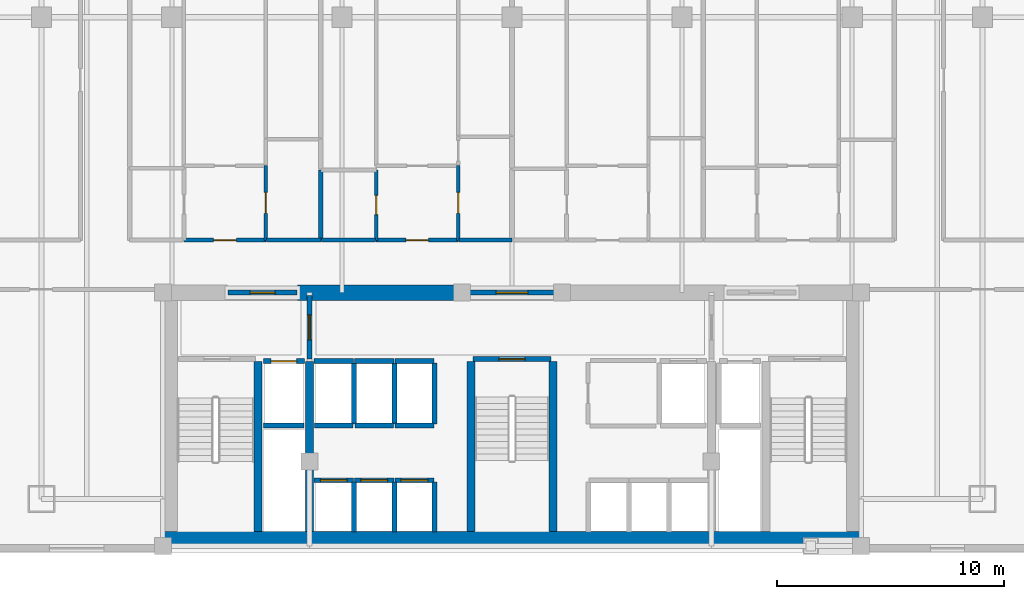
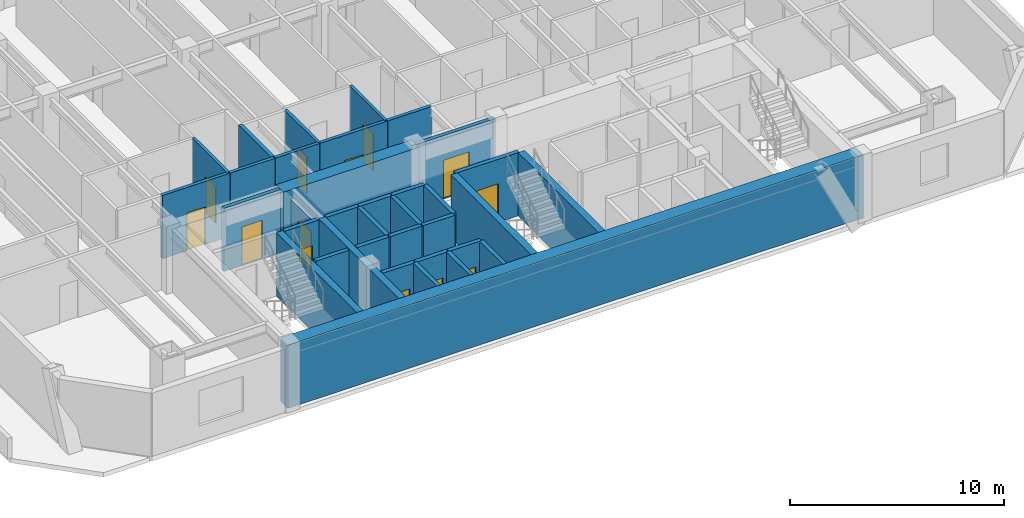
# One storey, part 3 of 10: 36 walls, 13 doors, 13 openings.
"""IFC4 building model written with IfcOpenShell, lengths in metres."""

from ifc_helpers import new_model, si_unit, direction, frame, frame_2d, origin, place, context, subcontext, project, spatial, rectangle, extrude, material, layer, layer_set, type_object, element, fill, save


model = new_model("IFC4")

# Units and contexts
model_context = context("Model", 3, precision=1e-05, world=origin(), true_north=direction((0.0, 1.0)))
body_context = subcontext(model_context, "Body", "Model", "MODEL_VIEW")
ifc_project = project(units=[si_unit("LENGTHUNIT", "METRE"), si_unit("AREAUNIT", "SQUARE_METRE"), si_unit("VOLUMEUNIT", "CUBIC_METRE"), si_unit("PLANEANGLEUNIT", "RADIAN"), si_unit("MASSUNIT", "GRAM", prefix="KILO")], contexts=[model_context])

# Site, building, storey
site_placement = place(None, origin())
site = spatial("IfcSite", under=ifc_project, at=site_placement, CompositionType="ELEMENT")
building_placement = place(site_placement, origin())
building = spatial("IfcBuilding", under=site, at=building_placement, Name="Ventersveld Concourse Tower", CompositionType="ELEMENT")
storey_placement = place(building_placement, frame((0.0, 0.0, 92.60009765625)))
storey = spatial("IfcBuildingStorey", under=building, at=storey_placement, Name="L22", CompositionType="ELEMENT", Elevation=92.60009765625)

# Walls
ifc_material_1 = material(Name="Concrete C60/75", Category="concrete")
ifc_layer_1 = layer(ifc_material_1, 0.35009765625)
ifc_layer_set_1 = layer_set([ifc_layer_1], Name="Concrete C60/75")
wall_type_1 = type_object("IfcWallType", Name="WL-CORE-350L", PredefinedType="SHEAR", material=ifc_layer_set_1)
for number, where, z_axis, x_axis, name in (
    (1, (17.5400390625, 0.919921875, 0.0), (0.0, 0.0, 1.0), (0.0, 1.0, 0.0), "L22 Core Internal Shear Web W-ST1-E"),
    (2, (19.820068359375, 0.919921875, 0.0), (0.0, 0.0, 1.0), (0.0, 1.0, 0.0), "L22 Core Internal Shear Web W-FF1-E"),
    (3, (26.93994140625, 0.919921875, 0.0), (0.0, 0.0, 1.0), (0.0, 1.0, 0.0), "L22 Core Internal Shear Web W-ST3-W"),
    (4, (30.56005859375, 0.919921875, 0.0), (0.0, 0.0, 1.0), (0.0, 1.0, 0.0), "L22 Core Internal Shear Web W-ST3-E"),
):
    element("IfcWall", number, at=place(storey_placement, frame(where, z_axis=z_axis, x_axis=x_axis)), inside=storey, type_object=wall_type_1, Name=name, PredefinedType="SHEAR", context=body_context, shape_type="SweptSolid", body=[
        extrude(rectangle(XDim=7.5, YDim=0.35009765625, at=frame_2d((3.75, 0.0))), origin(), (0.0, 0.0, 1.0), 3.599853515625),
    ])
ifc_layer_2 = layer(ifc_material_1, 0.699951171875)
ifc_layer_set_2 = layer_set([ifc_layer_2], Name="Concrete C60/75")
wall_type_2 = type_object("IfcWallType", Name="WL-CORE-700", PredefinedType="SHEAR", material=ifc_layer_set_2)
wall_1_placement = place(storey_placement, frame((13.25, 0.570068359375, 0.0), z_axis=(0.0, 0.0, 1.0), x_axis=(1.0, 0.0, 0.0)))
element("IfcWall", 5, at=wall_1_placement, inside=storey, type_object=wall_type_2, Name="L22 Rear Core South Shear Wall", PredefinedType="SHEAR", context=body_context, shape_type="SweptSolid", body=[
    extrude(rectangle(XDim=31.0, YDim=0.699951171875, at=frame_2d((15.5, 0.0))), origin(), (0.0, 0.0, 1.0), 3.599853515625),
])
wall_2_placement = place(storey_placement, frame((19.300048828125, 11.449951171875, 0.0), z_axis=(0.0, 0.0, 1.0), x_axis=(1.0, 0.0, 0.0)))
element("IfcWall", 6, at=wall_2_placement, inside=storey, type_object=wall_type_2, Name="L22 Rear Core North Shear Wall NML", PredefinedType="SHEAR", context=body_context, shape_type="SweptSolid", body=[
    extrude(rectangle(XDim=7.300048828125, YDim=0.699951171875, at=frame_2d((3.64990234375, 0.0))), origin(), (0.0, 0.0, 1.0), 3.599853515625),
])

# Wall, opening, door
ifc_material_2 = material(Name="Fire-rated autoclaved aerated masonry blockwork", Category="masonry")
ifc_layer_3 = layer(ifc_material_2, 0.179931640625)
ifc_layer_set_3 = layer_set([ifc_layer_3], Name="Fire-rated autoclaved aerated masonry blockwork")
wall_type_3 = type_object("IfcWallType", Name="WL-CORR-180", PredefinedType="PARTITIONING", material=ifc_layer_set_3)
wall_3_placement = place(storey_placement, frame((14.275390625, 13.77001953125, 0.0), z_axis=(0.0, 0.0, 1.0), x_axis=(1.0, 0.0, 0.0)))
wall_3 = element("IfcWall", 7, at=wall_3_placement, inside=storey, type_object=wall_type_3, Name="L22 Interior Partition SP-L22-COR-SP-L22-22N1-FOY", PredefinedType="PARTITIONING", context=body_context, shape_type="SweptSolid", body=[
    extrude(rectangle(XDim=3.625, YDim=0.179931640625, at=frame_2d((1.8125, 0.0))), origin(), (0.0, 0.0, 1.0), 3.599853515625),
])
opening_1_placement = place(wall_3_placement, frame((1.3125, 0.0, 0.0)))
opening_1 = element("IfcOpeningElement", 8, at=opening_1_placement, cuts=wall_3, Name="Opening FD3", PredefinedType="OPENING", context=body_context, shape_type="SweptSolid", body=[
    extrude(rectangle(XDim=1.0, YDim=2.14990234375, at=frame_2d((0.5, 1.074951171875))), frame((0.0, 0.10009765625, 0.0), z_axis=(0.0, -1.0, 0.0), x_axis=(1.0, 0.0, 0.0)), (0.0, 0.0, 1.0), 0.199951171875),
])
ifc_material_3 = material(Name="Solid-core hardwood veneer timber", Category="wood")
door_type_1 = type_object("IfcDoorType", Name="DR-FLAT-100", OperationType="NOTDEFINED", PredefinedType="DOOR", material=ifc_material_3)
door_1_placement = place(opening_1_placement, origin())
door_1 = element("IfcDoor", 9, at=door_1_placement, inside=storey, type_object=door_type_1, Name="L22 Interior Door SP-L22-COR to SP-L22-22N1-FOY (FD-L22-1072)", OperationType="SINGLE_SWING_RIGHT", OverallHeight=2.14990234375, OverallWidth=1.0, PredefinedType="DOOR", context=body_context, shape_type="SweptSolid", body=[
    extrude(rectangle(XDim=1.0, YDim=2.14990234375, at=frame_2d((0.5, 1.074951171875))), frame((0.0, 0.02490234375, 0.0), z_axis=(0.0, -1.0, 0.0), x_axis=(1.0, 0.0, 0.0)), (0.0, 0.0, 1.0), 0.050048828125),
])
fill(opening_1, door_1)

# Wall
wall_4_placement = place(storey_placement, frame((17.930419921875, 13.77001953125, 0.0), z_axis=(0.0, 0.0, 1.0), x_axis=(1.0, 0.0, 0.0)))
element("IfcWall", 10, at=wall_4_placement, inside=storey, type_object=wall_type_3, Name="L22 Interior Partition SP-L22-COR-SP-L22-22N1-KIT", PredefinedType="PARTITIONING", context=body_context, shape_type="SweptSolid", body=[
    extrude(rectangle(XDim=2.39453125, YDim=0.179931640625, at=frame_2d((1.197265625, 0.0))), origin(), (0.0, 0.0, 1.0), 3.599853515625),
])

# Wall, opening, door
wall_5_placement = place(storey_placement, frame((22.7568359375, 13.77001953125, 0.0), z_axis=(0.0, 0.0, 1.0), x_axis=(1.0, 0.0, 0.0)))
wall_5 = element("IfcWall", 11, at=wall_5_placement, inside=storey, type_object=wall_type_3, Name="L22 Interior Partition SP-L22-COR-SP-L22-22N2-FOY", PredefinedType="PARTITIONING", context=body_context, shape_type="SweptSolid", body=[
    extrude(rectangle(XDim=3.625, YDim=0.179931640625, at=frame_2d((1.8125, 0.0))), origin(), (0.0, 0.0, 1.0), 3.599853515625),
])
opening_2_placement = place(wall_5_placement, frame((1.3125, 0.0, 0.0)))
opening_2 = element("IfcOpeningElement", 12, at=opening_2_placement, cuts=wall_5, Name="Opening FD3", PredefinedType="OPENING", context=body_context, shape_type="SweptSolid", body=[
    extrude(rectangle(XDim=1.0, YDim=2.14990234375, at=frame_2d((0.5, 1.074951171875))), frame((0.0, 0.10009765625, 0.0), z_axis=(0.0, -1.0, 0.0), x_axis=(1.0, 0.0, 0.0)), (0.0, 0.0, 1.0), 0.199951171875),
])
door_2_placement = place(opening_2_placement, origin())
door_2 = element("IfcDoor", 13, at=door_2_placement, inside=storey, type_object=door_type_1, Name="L22 Interior Door SP-L22-COR to SP-L22-22N2-FOY (FD-L22-1073)", OperationType="SINGLE_SWING_LEFT", OverallHeight=2.14990234375, OverallWidth=1.0, PredefinedType="DOOR", context=body_context, shape_type="SweptSolid", body=[
    extrude(rectangle(XDim=1.0, YDim=2.14990234375, at=frame_2d((0.5, 1.074951171875))), frame((0.0, 0.02490234375, 0.0), z_axis=(0.0, -1.0, 0.0), x_axis=(1.0, 0.0, 0.0)), (0.0, 0.0, 1.0), 0.050048828125),
])
fill(opening_2, door_2)

# Walls
wall_6_placement = place(storey_placement, frame((20.35498046875, 13.77001953125, 0.0), z_axis=(0.0, 0.0, 1.0), x_axis=(1.0, 0.0, 0.0)))
element("IfcWall", 14, at=wall_6_placement, inside=storey, type_object=wall_type_3, Name="L22 Interior Partition SP-L22-COR-SP-L22-22N2-BATH", PredefinedType="PARTITIONING", context=body_context, shape_type="SweptSolid", body=[
    extrude(rectangle(XDim=2.371826171875, YDim=0.179931640625, at=frame_2d((1.18603515625, 0.0))), origin(), (0.0, 0.0, 1.0), 3.599853515625),
])
wall_7_placement = place(storey_placement, frame((26.411865234375, 13.77001953125, 0.0), z_axis=(0.0, 0.0, 1.0), x_axis=(1.0, 0.0, 0.0)))
element("IfcWall", 15, at=wall_7_placement, inside=storey, type_object=wall_type_3, Name="L22 Interior Partition SP-L22-COR-SP-L22-22N2-KIT", PredefinedType="PARTITIONING", context=body_context, shape_type="SweptSolid", body=[
    extrude(rectangle(XDim=2.343017578125, YDim=0.179931640625, at=frame_2d((1.17138671875, 0.0))), origin(), (0.0, 0.0, 1.0), 3.599853515625),
])
ifc_layer_4 = layer(ifc_material_2, 0.199951171875)
ifc_layer_set_4 = layer_set([ifc_layer_4], Name="Fire-rated autoclaved aerated masonry blockwork")
wall_type_4 = type_object("IfcWallType", Name="WL-DEMISE-200", PredefinedType="PARTITIONING", material=ifc_layer_set_4)
wall_8_placement = place(storey_placement, frame((20.320068359375, 13.764892578125, 0.0), z_axis=(0.0, 0.0, 1.0), x_axis=(0.0, 1.0, 0.0)))
element("IfcWall", 16, at=wall_8_placement, inside=storey, type_object=wall_type_4, Name="L22 Interior Partition SP-L22-22N1-KIT-SP-L22-22N2-BATH", PredefinedType="PARTITIONING", context=body_context, shape_type="SweptSolid", body=[
    extrude(rectangle(XDim=3.108154296875, YDim=0.199951171875, at=frame_2d((1.55419921875, 0.0))), origin(), (0.0, 0.0, 1.0), 3.599853515625),
])
ifc_layer_5 = layer(ifc_material_2, 0.219970703125)
ifc_layer_set_5 = layer_set([ifc_layer_5], Name="Fire-rated autoclaved aerated masonry blockwork")
wall_type_5 = type_object("IfcWallType", Name="WL-HOIST-220", PredefinedType="SOLIDWALL", material=ifc_layer_set_5)
wall_9_placement = place(storey_placement, frame((17.800048828125, 5.590087890625, 0.0), z_axis=(0.0, 0.0, 1.0), x_axis=(1.0, 0.0, 0.0)))
element("IfcWall", 17, at=wall_9_placement, inside=storey, type_object=wall_type_5, Name="L22 Lift Hoistway Back Wall FFL-01", PredefinedType="SOLIDWALL", context=body_context, shape_type="SweptSolid", body=[
    extrude(rectangle(XDim=1.780029296875, YDim=0.219970703125, at=frame_2d((0.89013671875, 0.0))), origin(), (0.0, 0.0, 1.0), 3.599853515625),
])

# Wall, opening, door
wall_10_placement = place(storey_placement, frame((17.780029296875, 8.429931640625, 0.0), z_axis=(0.0, 0.0, 1.0), x_axis=(1.0, 0.0, 0.0)))
wall_10 = element("IfcWall", 18, at=wall_10_placement, inside=storey, type_object=wall_type_5, Name="L22 Lift Hoistway Front Wall FFL-01", PredefinedType="SOLIDWALL", context=body_context, shape_type="SweptSolid", body=[
    extrude(rectangle(XDim=1.820068359375, YDim=0.219970703125, at=frame_2d((0.91015625, 0.0))), origin(), (0.0, 0.0, 1.0), 3.599853515625),
])
opening_3_placement = place(wall_10_placement, frame((0.35009765625, 0.0, 0.0)))
opening_3 = element("IfcOpeningElement", 19, at=opening_3_placement, cuts=wall_10, Name="Opening LD1", PredefinedType="OPENING", context=body_context, shape_type="SweptSolid", body=[
    extrude(rectangle(XDim=1.1201171875, YDim=2.25, at=frame_2d((0.56005859375, 1.125))), frame((0.0, 0.1201171875, 0.0), z_axis=(0.0, -1.0, 0.0), x_axis=(1.0, 0.0, 0.0)), (0.0, 0.0, 1.0), 0.239990234375),
])
ifc_material_4 = material(Name="Brushed stainless steel 316", Category="steel")
door_type_2 = type_object("IfcDoorType", Name="LD-FF-112", OperationType="SLIDING_TO_LEFT", PredefinedType="DOOR", material=ifc_material_4)
door_3_placement = place(opening_3_placement, origin())
door_3 = element("IfcDoor", 20, at=door_3_placement, inside=storey, type_object=door_type_2, Name="L22 Lift landing door FFL-01 (LD-L22-FFL-01)", OperationType="SLIDING_TO_LEFT", OverallHeight=2.25, OverallWidth=1.1201171875, PredefinedType="DOOR", context=body_context, shape_type="SweptSolid", body=[
    extrude(rectangle(XDim=1.1201171875, YDim=2.25, at=frame_2d((0.56005859375, 1.125))), frame((0.0, 0.02490234375, 0.0), z_axis=(0.0, -1.0, 0.0), x_axis=(1.0, 0.0, 0.0)), (0.0, 0.0, 1.0), 0.050048828125),
])
fill(opening_3, door_3)

# Wall
wall_11_placement = place(storey_placement, frame((21.780029296875, 0.89990234375, 0.0), z_axis=(0.0, 0.0, 1.0), x_axis=(0.0, 1.0, 0.0)))
element("IfcWall", 21, at=wall_11_placement, inside=storey, type_object=wall_type_5, Name="L22 Lift Hoistway Side Wall PL-01E", PredefinedType="SOLIDWALL", context=body_context, shape_type="SweptSolid", body=[
    extrude(rectangle(XDim=2.2001953125, YDim=0.219970703125, at=frame_2d((1.10009765625, 0.0))), origin(), (0.0, 0.0, 1.0), 3.599853515625),
])

# Wall, opening, door
wall_12_placement = place(storey_placement, frame((20.02001953125, 3.179931640625, 0.0), z_axis=(0.0, 0.0, 1.0), x_axis=(1.0, 0.0, 0.0)))
wall_12 = element("IfcWall", 22, at=wall_12_placement, inside=storey, type_object=wall_type_5, Name="L22 Lift Hoistway Front Wall PL-01", PredefinedType="SOLIDWALL", context=body_context, shape_type="SweptSolid", body=[
    extrude(rectangle(XDim=1.739990234375, YDim=0.219970703125, at=frame_2d((0.8701171875, 0.0))), origin(), (0.0, 0.0, 1.0), 3.599853515625),
])
opening_4_placement = place(wall_12_placement, frame((0.280029296875, 0.0, 0.0)))
opening_4 = element("IfcOpeningElement", 23, at=opening_4_placement, cuts=wall_12, Name="Opening LD2", PredefinedType="OPENING", context=body_context, shape_type="SweptSolid", body=[
    extrude(rectangle(XDim=1.179931640625, YDim=2.199951171875, at=frame_2d((0.58984375, 1.10009765625))), frame((0.0, 0.1201171875, 0.0), z_axis=(0.0, -1.0, 0.0), x_axis=(1.0, 0.0, 0.0)), (0.0, 0.0, 1.0), 0.239990234375),
])
door_type_3 = type_object("IfcDoorType", Name="LD-PAX-118", OperationType="SLIDING_TO_LEFT", PredefinedType="DOOR", material=ifc_material_4)
door_4_placement = place(opening_4_placement, origin())
door_4 = element("IfcDoor", 24, at=door_4_placement, inside=storey, type_object=door_type_3, Name="L22 Lift landing door PL-01 (LD-L22-PL-01)", OperationType="SLIDING_TO_RIGHT", OverallHeight=2.199951171875, OverallWidth=1.179931640625, PredefinedType="DOOR", context=body_context, shape_type="SweptSolid", body=[
    extrude(rectangle(XDim=1.179931640625, YDim=2.199951171875, at=frame_2d((0.58984375, 1.10009765625))), frame((0.0, 0.02490234375, 0.0), z_axis=(0.0, -1.0, 0.0), x_axis=(1.0, 0.0, 0.0)), (0.0, 0.0, 1.0), 0.050048828125),
])
fill(opening_4, door_4)

# Wall
wall_13_placement = place(storey_placement, frame((23.56005859375, 0.89990234375, 0.0), z_axis=(0.0, 0.0, 1.0), x_axis=(0.0, 1.0, 0.0)))
element("IfcWall", 25, at=wall_13_placement, inside=storey, type_object=wall_type_5, Name="L22 Lift Hoistway Side Wall PL-02E", PredefinedType="SOLIDWALL", context=body_context, shape_type="SweptSolid", body=[
    extrude(rectangle(XDim=2.2001953125, YDim=0.219970703125, at=frame_2d((1.10009765625, 0.0))), origin(), (0.0, 0.0, 1.0), 3.599853515625),
])

# Wall, opening, door
wall_14_placement = place(storey_placement, frame((21.800048828125, 3.179931640625, 0.0), z_axis=(0.0, 0.0, 1.0), x_axis=(1.0, 0.0, 0.0)))
wall_14 = element("IfcWall", 26, at=wall_14_placement, inside=storey, type_object=wall_type_5, Name="L22 Lift Hoistway Front Wall PL-02", PredefinedType="SOLIDWALL", context=body_context, shape_type="SweptSolid", body=[
    extrude(rectangle(XDim=1.739990234375, YDim=0.219970703125, at=frame_2d((0.8701171875, 0.0))), origin(), (0.0, 0.0, 1.0), 3.599853515625),
])
opening_5_placement = place(wall_14_placement, frame((0.280029296875, 0.0, 0.0)))
opening_5 = element("IfcOpeningElement", 27, at=opening_5_placement, cuts=wall_14, Name="Opening LD2", PredefinedType="OPENING", context=body_context, shape_type="SweptSolid", body=[
    extrude(rectangle(XDim=1.179931640625, YDim=2.199951171875, at=frame_2d((0.58984375, 1.10009765625))), frame((0.0, 0.1201171875, 0.0), z_axis=(0.0, -1.0, 0.0), x_axis=(1.0, 0.0, 0.0)), (0.0, 0.0, 1.0), 0.239990234375),
])
door_5_placement = place(opening_5_placement, origin())
door_5 = element("IfcDoor", 28, at=door_5_placement, inside=storey, type_object=door_type_3, Name="L22 Lift landing door PL-02 (LD-L22-PL-02)", OperationType="SLIDING_TO_LEFT", OverallHeight=2.199951171875, OverallWidth=1.179931640625, PredefinedType="DOOR", context=body_context, shape_type="SweptSolid", body=[
    extrude(rectangle(XDim=1.179931640625, YDim=2.199951171875, at=frame_2d((0.58984375, 1.10009765625))), frame((0.0, 0.02490234375, 0.0), z_axis=(0.0, -1.0, 0.0), x_axis=(1.0, 0.0, 0.0)), (0.0, 0.0, 1.0), 0.050048828125),
])
fill(opening_5, door_5)

# Wall
wall_15_placement = place(storey_placement, frame((25.340087890625, 0.89990234375, 0.0), z_axis=(0.0, 0.0, 1.0), x_axis=(0.0, 1.0, 0.0)))
element("IfcWall", 29, at=wall_15_placement, inside=storey, type_object=wall_type_5, Name="L22 Lift Hoistway Side Wall PL-03E", PredefinedType="SOLIDWALL", context=body_context, shape_type="SweptSolid", body=[
    extrude(rectangle(XDim=2.2001953125, YDim=0.219970703125, at=frame_2d((1.10009765625, 0.0))), origin(), (0.0, 0.0, 1.0), 3.599853515625),
])

# Wall, opening, door
wall_16_placement = place(storey_placement, frame((23.580078125, 3.179931640625, 0.0), z_axis=(0.0, 0.0, 1.0), x_axis=(1.0, 0.0, 0.0)))
wall_16 = element("IfcWall", 30, at=wall_16_placement, inside=storey, type_object=wall_type_5, Name="L22 Lift Hoistway Front Wall PL-03", PredefinedType="SOLIDWALL", context=body_context, shape_type="SweptSolid", body=[
    extrude(rectangle(XDim=1.739990234375, YDim=0.219970703125, at=frame_2d((0.8701171875, 0.0))), origin(), (0.0, 0.0, 1.0), 3.599853515625),
])
opening_6_placement = place(wall_16_placement, frame((0.280029296875, 0.0, 0.0)))
opening_6 = element("IfcOpeningElement", 31, at=opening_6_placement, cuts=wall_16, Name="Opening LD2", PredefinedType="OPENING", context=body_context, shape_type="SweptSolid", body=[
    extrude(rectangle(XDim=1.179931640625, YDim=2.199951171875, at=frame_2d((0.58984375, 1.10009765625))), frame((0.0, 0.1201171875, 0.0), z_axis=(0.0, -1.0, 0.0), x_axis=(1.0, 0.0, 0.0)), (0.0, 0.0, 1.0), 0.239990234375),
])
door_6_placement = place(opening_6_placement, origin())
door_6 = element("IfcDoor", 32, at=door_6_placement, inside=storey, type_object=door_type_3, Name="L22 Lift landing door PL-03 (LD-L22-PL-03)", OperationType="SLIDING_TO_RIGHT", OverallHeight=2.199951171875, OverallWidth=1.179931640625, PredefinedType="DOOR", context=body_context, shape_type="SweptSolid", body=[
    extrude(rectangle(XDim=1.179931640625, YDim=2.199951171875, at=frame_2d((0.58984375, 1.10009765625))), frame((0.0, 0.02490234375, 0.0), z_axis=(0.0, -1.0, 0.0), x_axis=(1.0, 0.0, 0.0)), (0.0, 0.0, 1.0), 0.050048828125),
])
fill(opening_6, door_6)

# Walls
wall_17_placement = place(storey_placement, frame((20.0400390625, 5.590087890625, 0.0), z_axis=(0.0, 0.0, 1.0), x_axis=(1.0, 0.0, 0.0)))
element("IfcWall", 33, at=wall_17_placement, inside=storey, type_object=wall_type_5, Name="L22 Lift Hoistway Back Wall PH-01", PredefinedType="SOLIDWALL", context=body_context, shape_type="SweptSolid", body=[
    extrude(rectangle(XDim=1.699951171875, YDim=0.219970703125, at=frame_2d((0.85009765625, 0.0))), origin(), (0.0, 0.0, 1.0), 3.599853515625),
])
wall_18_placement = place(storey_placement, frame((21.780029296875, 5.64990234375, 0.0), z_axis=(0.0, 0.0, 1.0), x_axis=(0.0, 1.0, 0.0)))
element("IfcWall", 34, at=wall_18_placement, inside=storey, type_object=wall_type_5, Name="L22 Lift Hoistway Side Wall PH-01E", PredefinedType="SOLIDWALL", context=body_context, shape_type="SweptSolid", body=[
    extrude(rectangle(XDim=2.7001953125, YDim=0.219970703125, at=frame_2d((1.35009765625, 0.0))), origin(), (0.0, 0.0, 1.0), 3.599853515625),
])
wall_19_placement = place(storey_placement, frame((20.02001953125, 8.429931640625, 0.0), z_axis=(0.0, 0.0, 1.0), x_axis=(1.0, 0.0, 0.0)))
element("IfcWall", 35, at=wall_19_placement, inside=storey, type_object=wall_type_5, Name="L22 Lift Hoistway Front Wall PH-01", PredefinedType="SOLIDWALL", context=body_context, shape_type="SweptSolid", body=[
    extrude(rectangle(XDim=1.739990234375, YDim=0.219970703125, at=frame_2d((0.8701171875, 0.0))), origin(), (0.0, 0.0, 1.0), 3.599853515625),
])
wall_20_placement = place(storey_placement, frame((21.820068359375, 5.590087890625, 0.0), z_axis=(0.0, 0.0, 1.0), x_axis=(1.0, 0.0, 0.0)))
element("IfcWall", 36, at=wall_20_placement, inside=storey, type_object=wall_type_5, Name="L22 Lift Hoistway Back Wall PH-02", PredefinedType="SOLIDWALL", context=body_context, shape_type="SweptSolid", body=[
    extrude(rectangle(XDim=1.699951171875, YDim=0.219970703125, at=frame_2d((0.85009765625, 0.0))), origin(), (0.0, 0.0, 1.0), 3.599853515625),
])
wall_21_placement = place(storey_placement, frame((23.56005859375, 5.64990234375, 0.0), z_axis=(0.0, 0.0, 1.0), x_axis=(0.0, 1.0, 0.0)))
element("IfcWall", 37, at=wall_21_placement, inside=storey, type_object=wall_type_5, Name="L22 Lift Hoistway Side Wall PH-02E", PredefinedType="SOLIDWALL", context=body_context, shape_type="SweptSolid", body=[
    extrude(rectangle(XDim=2.7001953125, YDim=0.219970703125, at=frame_2d((1.35009765625, 0.0))), origin(), (0.0, 0.0, 1.0), 3.599853515625),
])
wall_22_placement = place(storey_placement, frame((21.800048828125, 8.429931640625, 0.0), z_axis=(0.0, 0.0, 1.0), x_axis=(1.0, 0.0, 0.0)))
element("IfcWall", 38, at=wall_22_placement, inside=storey, type_object=wall_type_5, Name="L22 Lift Hoistway Front Wall PH-02", PredefinedType="SOLIDWALL", context=body_context, shape_type="SweptSolid", body=[
    extrude(rectangle(XDim=1.739990234375, YDim=0.219970703125, at=frame_2d((0.8701171875, 0.0))), origin(), (0.0, 0.0, 1.0), 3.599853515625),
])
wall_23_placement = place(storey_placement, frame((23.60009765625, 5.590087890625, 0.0), z_axis=(0.0, 0.0, 1.0), x_axis=(1.0, 0.0, 0.0)))
element("IfcWall", 39, at=wall_23_placement, inside=storey, type_object=wall_type_5, Name="L22 Lift Hoistway Back Wall PH-03", PredefinedType="SOLIDWALL", context=body_context, shape_type="SweptSolid", body=[
    extrude(rectangle(XDim=1.699951171875, YDim=0.219970703125, at=frame_2d((0.85009765625, 0.0))), origin(), (0.0, 0.0, 1.0), 3.599853515625),
])
wall_24_placement = place(storey_placement, frame((25.340087890625, 5.64990234375, 0.0), z_axis=(0.0, 0.0, 1.0), x_axis=(0.0, 1.0, 0.0)))
element("IfcWall", 40, at=wall_24_placement, inside=storey, type_object=wall_type_5, Name="L22 Lift Hoistway Side Wall PH-03E", PredefinedType="SOLIDWALL", context=body_context, shape_type="SweptSolid", body=[
    extrude(rectangle(XDim=2.7001953125, YDim=0.219970703125, at=frame_2d((1.35009765625, 0.0))), origin(), (0.0, 0.0, 1.0), 3.599853515625),
])
wall_25_placement = place(storey_placement, frame((23.580078125, 8.429931640625, 0.0), z_axis=(0.0, 0.0, 1.0), x_axis=(1.0, 0.0, 0.0)))
element("IfcWall", 41, at=wall_25_placement, inside=storey, type_object=wall_type_5, Name="L22 Lift Hoistway Front Wall PH-03", PredefinedType="SOLIDWALL", context=body_context, shape_type="SweptSolid", body=[
    extrude(rectangle(XDim=1.739990234375, YDim=0.219970703125, at=frame_2d((0.8701171875, 0.0))), origin(), (0.0, 0.0, 1.0), 3.599853515625),
])

# Wall, opening, door
wall_26_placement = place(storey_placement, frame((27.0400390625, 8.52001953125, 0.0), z_axis=(0.0, 0.0, 1.0), x_axis=(1.0, 0.0, 0.0)))
wall_26 = element("IfcWall", 42, at=wall_26_placement, inside=storey, type_object=wall_type_5, Name="L22 Escape Stair ST03 Fire Wall", PredefinedType="SOLIDWALL", context=body_context, shape_type="SweptSolid", body=[
    extrude(rectangle(XDim=3.419921875, YDim=0.219970703125, at=frame_2d((1.7099609375, 0.0))), origin(), (0.0, 0.0, 1.0), 3.599853515625),
])
opening_7_placement = place(wall_26_placement, frame((1.135009765625, 0.0, 0.0)))
opening_7 = element("IfcOpeningElement", 43, at=opening_7_placement, cuts=wall_26, Name="Opening FD1", PredefinedType="OPENING", context=body_context, shape_type="SweptSolid", body=[
    extrude(rectangle(XDim=1.14990234375, YDim=2.199951171875, at=frame_2d((0.574951171875, 1.10009765625))), frame((0.0, 0.1201171875, 0.0), z_axis=(0.0, -1.0, 0.0), x_axis=(1.0, 0.0, 0.0)), (0.0, 0.0, 1.0), 0.239990234375),
])
ifc_material_5 = material(Name="Galvanised painted steel", Category="steel")
door_type_4 = type_object("IfcDoorType", Name="DR-STAIR-115", OperationType="NOTDEFINED", PredefinedType="DOOR", material=ifc_material_5)
door_7_placement = place(opening_7_placement, origin())
door_7 = element("IfcDoor", 44, at=door_7_placement, inside=storey, type_object=door_type_4, Name="L22 Escape Stair Door ST03 (SD-L22-1061)", OperationType="SINGLE_SWING_LEFT", OverallHeight=2.199951171875, OverallWidth=1.14990234375, PredefinedType="DOOR", context=body_context, shape_type="SweptSolid", body=[
    extrude(rectangle(XDim=1.14990234375, YDim=2.199951171875, at=frame_2d((0.574951171875, 1.10009765625))), frame((0.0, 0.02490234375, 0.0), z_axis=(0.0, -1.0, 0.0), x_axis=(1.0, 0.0, 0.0)), (0.0, 0.0, 1.0), 0.050048828125),
])
fill(opening_7, door_7)

wall_27_placement = place(storey_placement, frame((19.820068359375, 8.52001953125, 0.0), z_axis=(0.0, 0.0, 1.0), x_axis=(0.0, 1.0, 0.0)))
wall_27 = element("IfcWall", 45, at=wall_27_placement, inside=storey, type_object=wall_type_5, Name="L22 Firefighting Lobby Smoke-Stop Wall FFLW-SEP", PredefinedType="SOLIDWALL", context=body_context, shape_type="SweptSolid", body=[
    extrude(rectangle(XDim=2.800048828125, YDim=0.219970703125, at=frame_2d((1.39990234375, 0.0))), origin(), (0.0, 0.0, 1.0), 3.055419921875),
])
opening_8_placement = place(wall_27_placement, frame((0.85009765625, 0.0, 0.0)))
opening_8 = element("IfcOpeningElement", 46, at=opening_8_placement, cuts=wall_27, Name="Opening FD2", PredefinedType="OPENING", context=body_context, shape_type="SweptSolid", body=[
    extrude(rectangle(XDim=1.10009765625, YDim=2.199951171875, at=frame_2d((0.550048828125, 1.10009765625))), frame((0.0, 0.1201171875, 0.0), z_axis=(0.0, -1.0, 0.0), x_axis=(1.0, 0.0, 0.0)), (0.0, 0.0, 1.0), 0.239990234375),
])
door_type_5 = type_object("IfcDoorType", Name="DR-FFL-110", OperationType="NOTDEFINED", PredefinedType="DOOR", material=ifc_material_5)
door_8_placement = place(opening_8_placement, origin())
door_8 = element("IfcDoor", 47, at=door_8_placement, inside=storey, type_object=door_type_5, Name="L22 Firefighting Lobby Door FFLW-SEP (FD-L22-1062)", OperationType="SINGLE_SWING_LEFT", OverallHeight=2.199951171875, OverallWidth=1.10009765625, PredefinedType="DOOR", context=body_context, shape_type="SweptSolid", body=[
    extrude(rectangle(XDim=1.10009765625, YDim=2.199951171875, at=frame_2d((0.550048828125, 1.10009765625))), frame((0.0, 0.02490234375, 0.0), z_axis=(0.0, -1.0, 0.0), x_axis=(1.0, 0.0, 0.0)), (0.0, 0.0, 1.0), 0.050048828125),
])
fill(opening_8, door_8)

wall_28_placement = place(storey_placement, frame((16.22998046875, 11.449951171875, 0.0), z_axis=(0.0, 0.0, 1.0), x_axis=(1.0, 0.0, 0.0)))
wall_28 = element("IfcWall", 48, at=wall_28_placement, inside=storey, type_object=wall_type_5, Name="L22 Core North Fire Portal FFLW-OUT", PredefinedType="SOLIDWALL", context=body_context, shape_type="SweptSolid", body=[
    extrude(rectangle(XDim=3.0400390625, YDim=0.219970703125, at=frame_2d((1.52001953125, 0.0))), origin(), (0.0, 0.0, 1.0), 3.599853515625),
])
opening_9_placement = place(wall_28_placement, frame((0.969970703125, 0.0, 0.0)))
opening_9 = element("IfcOpeningElement", 49, at=opening_9_placement, cuts=wall_28, Name="Opening FD2", PredefinedType="OPENING", context=body_context, shape_type="SweptSolid", body=[
    extrude(rectangle(XDim=1.10009765625, YDim=2.199951171875, at=frame_2d((0.550048828125, 1.10009765625))), frame((0.0, 0.1201171875, 0.0), z_axis=(0.0, -1.0, 0.0), x_axis=(1.0, 0.0, 0.0)), (0.0, 0.0, 1.0), 0.239990234375),
])
door_9_placement = place(opening_9_placement, origin())
door_9 = element("IfcDoor", 50, at=door_9_placement, inside=storey, type_object=door_type_5, Name="L22 Core Lobby Fire Door FFLW-OUT (FD-L22-1064)", OperationType="SINGLE_SWING_RIGHT", OverallHeight=2.199951171875, OverallWidth=1.10009765625, PredefinedType="DOOR", context=body_context, shape_type="SweptSolid", body=[
    extrude(rectangle(XDim=1.10009765625, YDim=2.199951171875, at=frame_2d((0.550048828125, 1.10009765625))), frame((0.0, 0.02490234375, 0.0), z_axis=(0.0, -1.0, 0.0), x_axis=(1.0, 0.0, 0.0)), (0.0, 0.0, 1.0), 0.050048828125),
])
fill(opening_9, door_9)

wall_29_placement = place(storey_placement, frame((26.6298828125, 11.449951171875, 0.0), z_axis=(0.0, 0.0, 1.0), x_axis=(1.0, 0.0, 0.0)))
wall_29 = element("IfcWall", 51, at=wall_29_placement, inside=storey, type_object=wall_type_5, Name="L22 Core North Fire Portal PLOB-OUT", PredefinedType="SOLIDWALL", context=body_context, shape_type="SweptSolid", body=[
    extrude(rectangle(XDim=4.240234375, YDim=0.219970703125, at=frame_2d((2.1201171875, 0.0))), origin(), (0.0, 0.0, 1.0), 3.599853515625),
])
opening_10_placement = place(wall_29_placement, frame((1.419921875, 0.0, 0.0)))
opening_10 = element("IfcOpeningElement", 52, at=opening_10_placement, cuts=wall_29, Name="Opening FD4", PredefinedType="OPENING", context=body_context, shape_type="SweptSolid", body=[
    extrude(rectangle(XDim=1.39990234375, YDim=2.199951171875, at=frame_2d((0.699951171875, 1.10009765625))), frame((0.0, 0.1201171875, 0.0), z_axis=(0.0, -1.0, 0.0), x_axis=(1.0, 0.0, 0.0)), (0.0, 0.0, 1.0), 0.239990234375),
])
door_type_6 = type_object("IfcDoorType", Name="DR-PLANT-140", OperationType="DOUBLE_DOOR_SINGLE_SWING", PredefinedType="DOOR", material=ifc_material_5)
door_10_placement = place(opening_10_placement, origin())
door_10 = element("IfcDoor", 53, at=door_10_placement, inside=storey, type_object=door_type_6, Name="L22 Core Lobby Fire Door PLOB-OUT (FD-L22-1065)", OperationType="DOUBLE_DOOR_SINGLE_SWING", OverallHeight=2.199951171875, OverallWidth=1.39990234375, PredefinedType="DOOR", context=body_context, shape_type="SweptSolid", body=[
    extrude(rectangle(XDim=1.39990234375, YDim=2.199951171875, at=frame_2d((0.699951171875, 1.10009765625))), frame((0.0, 0.02490234375, 0.0), z_axis=(0.0, -1.0, 0.0), x_axis=(1.0, 0.0, 0.0)), (0.0, 0.0, 1.0), 0.050048828125),
])
fill(opening_10, door_10)

ifc_material_6 = material(Name="Autoclaved aerated masonry blockwork", Category="masonry")
ifc_layer_6 = layer(ifc_material_6, 0.14990234375)
ifc_layer_set_6 = layer_set([ifc_layer_6], Name="Autoclaved aerated masonry blockwork")
wall_type_6 = type_object("IfcWallType", Name="WL-INT-150", PredefinedType="PARTITIONING", material=ifc_layer_set_6)
wall_30_placement = place(storey_placement, frame((17.895263671875, 13.764892578125, 0.0), z_axis=(0.0, 0.0, 1.0), x_axis=(0.0, 1.0, 0.0)))
wall_30 = element("IfcWall", 54, at=wall_30_placement, inside=storey, type_object=wall_type_6, Name="L22 Interior Partition SP-L22-22N1-FOY-SP-L22-22N1-KIT", PredefinedType="PARTITIONING", context=body_context, shape_type="SweptSolid", body=[
    extrude(rectangle(XDim=3.294189453125, YDim=0.14990234375, at=frame_2d((1.64697265625, 0.0))), origin(), (0.0, 0.0, 1.0), 3.599853515625),
])
opening_11_placement = place(wall_30_placement, frame((1.18701171875, 0.0, 0.0)))
opening_11 = element("IfcOpeningElement", 55, at=opening_11_placement, cuts=wall_30, Name="Opening ID1", PredefinedType="OPENING", context=body_context, shape_type="SweptSolid", body=[
    extrude(rectangle(XDim=0.919921875, YDim=2.10009765625, at=frame_2d((0.4599609375, 1.050048828125))), frame((0.0, 0.0849609375, 0.0), z_axis=(0.0, -1.0, 0.0), x_axis=(1.0, 0.0, 0.0)), (0.0, 0.0, 1.0), 0.169921875),
])
door_type_7 = type_object("IfcDoorType", Name="DR-ROOM-092", OperationType="NOTDEFINED", PredefinedType="DOOR", material=ifc_material_3)
door_11_placement = place(opening_11_placement, origin())
door_11 = element("IfcDoor", 56, at=door_11_placement, inside=storey, type_object=door_type_7, Name="L22 Interior Door SP-L22-22N1-FOY to SP-L22-22N1-KIT (D-L22-1080)", OperationType="SINGLE_SWING_RIGHT", OverallHeight=2.10009765625, OverallWidth=0.919921875, PredefinedType="DOOR", context=body_context, shape_type="SweptSolid", body=[
    extrude(rectangle(XDim=0.919921875, YDim=2.10009765625, at=frame_2d((0.4599609375, 1.050048828125))), frame((0.0, 0.02490234375, 0.0), z_axis=(0.0, -1.0, 0.0), x_axis=(1.0, 0.0, 0.0)), (0.0, 0.0, 1.0), 0.050048828125),
])
fill(opening_11, door_11)

wall_31_placement = place(storey_placement, frame((26.376708984375, 13.764892578125, 0.0), z_axis=(0.0, 0.0, 1.0), x_axis=(0.0, 1.0, 0.0)))
wall_31 = element("IfcWall", 57, at=wall_31_placement, inside=storey, type_object=wall_type_6, Name="L22 Interior Partition SP-L22-22N2-FOY-SP-L22-22N2-KIT", PredefinedType="PARTITIONING", context=body_context, shape_type="SweptSolid", body=[
    extrude(rectangle(XDim=3.294189453125, YDim=0.14990234375, at=frame_2d((1.64697265625, 0.0))), origin(), (0.0, 0.0, 1.0), 3.599853515625),
])
opening_12_placement = place(wall_31_placement, frame((1.18701171875, 0.0, 0.0)))
opening_12 = element("IfcOpeningElement", 58, at=opening_12_placement, cuts=wall_31, Name="Opening ID1", PredefinedType="OPENING", context=body_context, shape_type="SweptSolid", body=[
    extrude(rectangle(XDim=0.919921875, YDim=2.10009765625, at=frame_2d((0.4599609375, 1.050048828125))), frame((0.0, 0.0849609375, 0.0), z_axis=(0.0, -1.0, 0.0), x_axis=(1.0, 0.0, 0.0)), (0.0, 0.0, 1.0), 0.169921875),
])
door_12_placement = place(opening_12_placement, origin())
door_12 = element("IfcDoor", 59, at=door_12_placement, inside=storey, type_object=door_type_7, Name="L22 Interior Door SP-L22-22N2-FOY to SP-L22-22N2-KIT (D-L22-1087)", OperationType="SINGLE_SWING_LEFT", OverallHeight=2.10009765625, OverallWidth=0.919921875, PredefinedType="DOOR", context=body_context, shape_type="SweptSolid", body=[
    extrude(rectangle(XDim=0.919921875, YDim=2.10009765625, at=frame_2d((0.4599609375, 1.050048828125))), frame((0.0, 0.02490234375, 0.0), z_axis=(0.0, -1.0, 0.0), x_axis=(1.0, 0.0, 0.0)), (0.0, 0.0, 1.0), 0.050048828125),
])
fill(opening_12, door_12)

ifc_layer_7 = layer(ifc_material_6, 0.1650390625)
ifc_layer_set_7 = layer_set([ifc_layer_7], Name="Autoclaved aerated masonry blockwork")
wall_type_7 = type_object("IfcWallType", Name="WL-WET-165", PredefinedType="PLUMBINGWALL", material=ifc_layer_set_7)
wall_32_placement = place(storey_placement, frame((22.76171875, 13.764892578125, 0.0), z_axis=(0.0, 0.0, 1.0), x_axis=(0.0, 1.0, 0.0)))
wall_32 = element("IfcWall", 60, at=wall_32_placement, inside=storey, type_object=wall_type_7, Name="L22 Interior Partition SP-L22-22N2-FOY-SP-L22-22N2-BATH", PredefinedType="PLUMBINGWALL", context=body_context, shape_type="SweptSolid", body=[
    extrude(rectangle(XDim=3.108154296875, YDim=0.1650390625, at=frame_2d((1.55419921875, 0.0))), origin(), (0.0, 0.0, 1.0), 3.599853515625),
])
opening_13_placement = place(wall_32_placement, frame((1.12890625, 0.0, 0.0)))
opening_13 = element("IfcOpeningElement", 61, at=opening_13_placement, cuts=wall_32, Name="Opening ID2", PredefinedType="OPENING", context=body_context, shape_type="SweptSolid", body=[
    extrude(rectangle(XDim=0.85009765625, YDim=2.10009765625, at=frame_2d((0.425048828125, 1.050048828125))), frame((0.0, 0.092529296875, 0.0), z_axis=(0.0, -1.0, 0.0), x_axis=(1.0, 0.0, 0.0)), (0.0, 0.0, 1.0), 0.18505859375),
])
door_type_8 = type_object("IfcDoorType", Name="DR-BATH-085", OperationType="NOTDEFINED", PredefinedType="DOOR", material=ifc_material_3)
door_13_placement = place(opening_13_placement, origin())
door_13 = element("IfcDoor", 62, at=door_13_placement, inside=storey, type_object=door_type_8, Name="L22 Interior Door SP-L22-22N2-FOY to SP-L22-22N2-BATH (D-L22-1086)", OperationType="SINGLE_SWING_RIGHT", OverallHeight=2.10009765625, OverallWidth=0.85009765625, PredefinedType="DOOR", context=body_context, shape_type="SweptSolid", body=[
    extrude(rectangle(XDim=0.85009765625, YDim=2.10009765625, at=frame_2d((0.425048828125, 1.050048828125))), frame((0.0, 0.02490234375, 0.0), z_axis=(0.0, -1.0, 0.0), x_axis=(1.0, 0.0, 0.0)), (0.0, 0.0, 1.0), 0.050048828125),
])
fill(opening_13, door_13)

save(model, "model.ifc")
